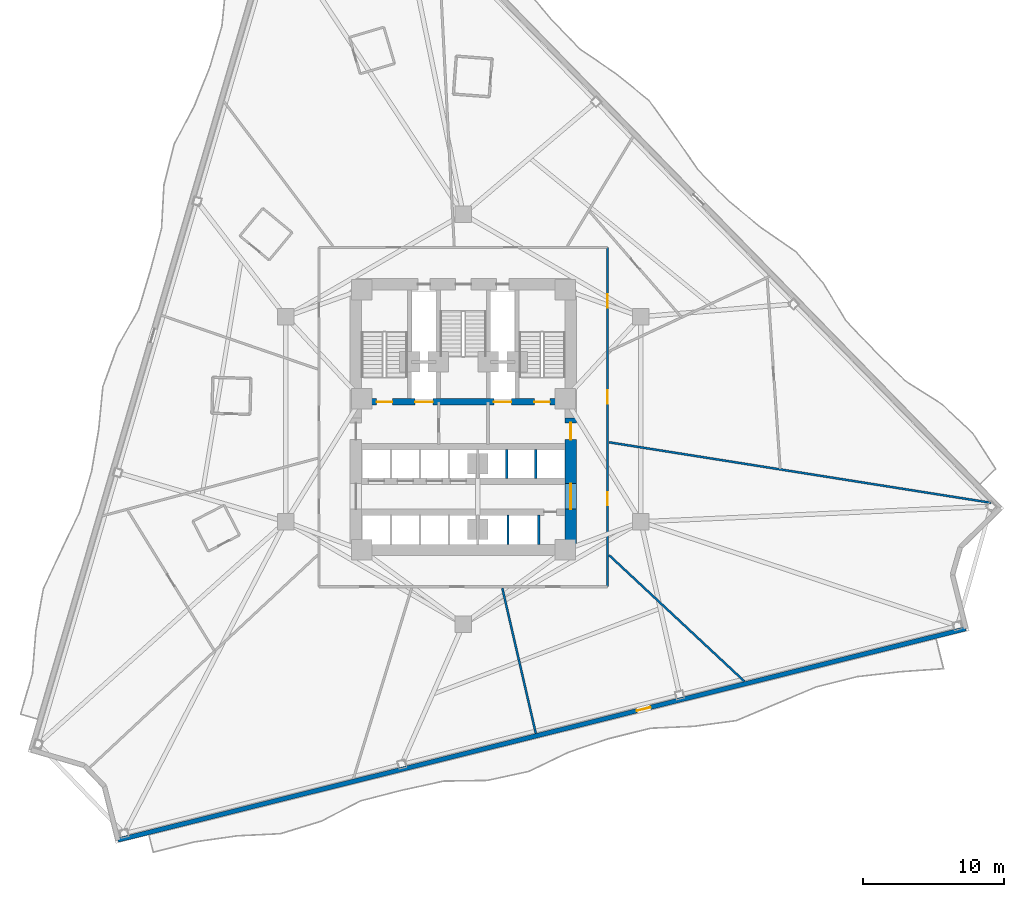
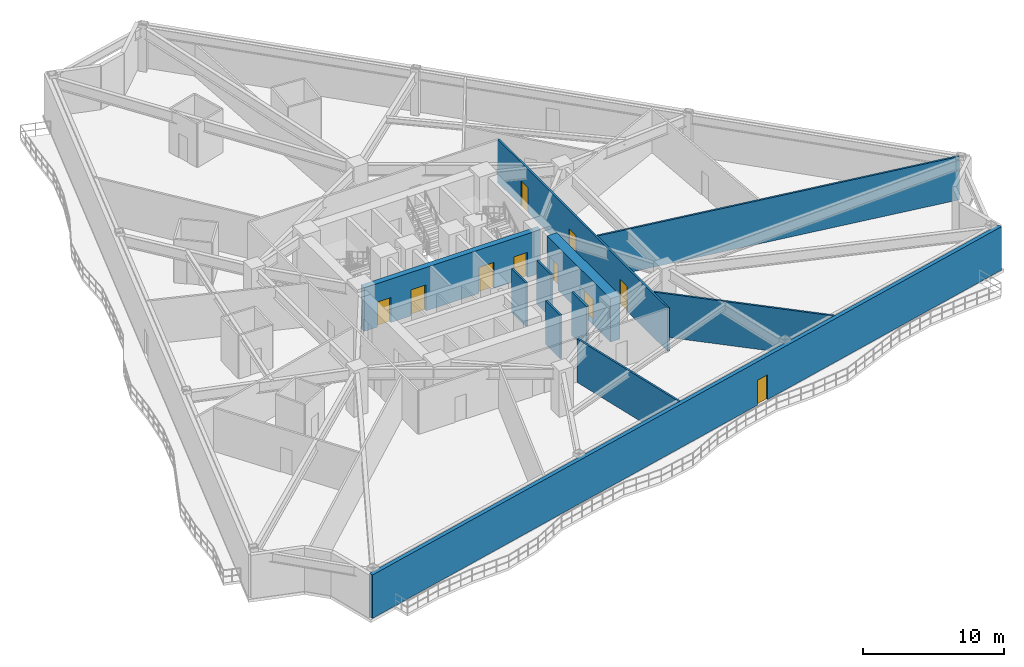
# One storey, part 4 of 10: 11 walls, 10 doors, 10 openings.
"""IFC4 building model written with IfcOpenShell, lengths in metres."""

from ifc_helpers import new_model, si_unit, direction, frame, frame_2d, origin, place, context, subcontext, project, spatial, rectangle, extrude, material, layer, layer_set, type_object, element, fill, save


model = new_model("IFC4")

# Units and contexts
model_context = context("Model", 3, precision=1e-05, world=origin(), true_north=direction((0.0, 1.0)))
body_context = subcontext(model_context, "Body", "Model", "MODEL_VIEW")
ifc_project = project(units=[si_unit("LENGTHUNIT", "METRE"), si_unit("AREAUNIT", "SQUARE_METRE"), si_unit("VOLUMEUNIT", "CUBIC_METRE"), si_unit("PLANEANGLEUNIT", "RADIAN"), si_unit("MASSUNIT", "GRAM", prefix="KILO")], contexts=[model_context])

# Site, building, storey
site_placement = place(None, origin())
site = spatial("IfcSite", under=ifc_project, at=site_placement, CompositionType="ELEMENT")
building_placement = place(site_placement, origin())
building = spatial("IfcBuilding", under=site, at=building_placement, Name="Apsidion Concourse Tower", CompositionType="ELEMENT")
storey_placement = place(building_placement, frame((0.0, 0.0, 115.0)))
storey = spatial("IfcBuildingStorey", under=building, at=storey_placement, Name="L26", CompositionType="ELEMENT", Elevation=115.0)

# Wall, opening, door
ifc_material_1 = material(Name="Precast concrete C40/50", Category="concrete")
ifc_layer_1 = layer(ifc_material_1, 0.320068359375)
ifc_layer_set_1 = layer_set([ifc_layer_1], Name="Precast concrete C40/50")
wall_type_1 = type_object("IfcWallType", Name="WL-EXT-320", PredefinedType="STANDARD", material=ifc_layer_set_1)
wall_1_placement = place(storey_placement, frame((35.546142578125, -14.818359375, 0.0), z_axis=(0.0, 0.0, 1.0), x_axis=(-0.970295883146, -0.241921266428, 0.0)))
wall_1 = element("IfcWall", 1, at=wall_1_placement, inside=storey, type_object=wall_type_1, Name="L26 Precast Stone Facade Wall 05", PredefinedType="STANDARD", context=body_context, shape_type="SweptSolid", body=[
    extrude(rectangle(XDim=61.810791015625, YDim=0.320068359375, at=frame_2d((30.9052734375, 0.0))), origin(), (0.0, 0.0, 1.0), 3.75),
])
opening_1_placement = place(wall_1_placement, frame((22.988037109375, 0.0, 0.0)))
opening_1 = element("IfcOpeningElement", 2, at=opening_1_placement, cuts=wall_1, Name="Opening D-T1R", PredefinedType="OPENING", context=body_context, shape_type="SweptSolid", body=[
    extrude(rectangle(XDim=1.0, YDim=2.14990234375, at=frame_2d((0.5, 1.074951171875))), frame((0.0, 0.169921875, 0.0), z_axis=(0.0, -1.0, 0.0), x_axis=(1.0, 0.0, 0.0)), (0.0, 0.0, 1.0), 0.340087890625),
])
ifc_material_2 = material(Name="Anodised aluminium EN AW-6063 T6", Category="aluminium")
door_type_1 = type_object("IfcDoorType", Name="DR-TER-1022R", OperationType="SINGLE_SWING_RIGHT", PredefinedType="DOOR", material=ifc_material_2)
door_1_placement = place(opening_1_placement, origin())
door_1 = element("IfcDoor", 3, at=door_1_placement, inside=storey, type_object=door_type_1, Name="L26 Balcony Access Door 2", OperationType="SINGLE_SWING_RIGHT", OverallHeight=2.14990234375, OverallWidth=1.0, PredefinedType="DOOR", context=body_context, shape_type="SweptSolid", body=[
    extrude(rectangle(XDim=1.0, YDim=2.14990234375, at=frame_2d((0.5, 1.074951171875))), frame((0.0, 0.02490234375, 0.0), z_axis=(0.0, -1.0, 0.0), x_axis=(1.0, 0.0, 0.0)), (0.0, 0.0, 1.0), 0.050048828125),
])
fill(opening_1, door_1)

# Walls
ifc_material_3 = material(Name="Gypsum plasterboard partition")
ifc_layer_2 = layer(ifc_material_3, 0.14990234375)
ifc_layer_set_2 = layer_set([ifc_layer_2], Name="Gypsum plasterboard partition")
wall_type_2 = type_object("IfcWallType", Name="WL-INT-PAR-150", PredefinedType="PARTITIONING", material=ifc_layer_set_2)
for number, where, z_axis, x_axis, name in (
    (4, (3.074951171875, -4.179931640625, 0.0), (0.0, 0.0, 1.0), (0.0, 1.0, 0.0), "L26 Interior Partition WL-L26-B3DIV-1"),
    (5, (5.125, -4.179931640625, 0.0), (0.0, 0.0, 1.0), (0.0, 1.0, 0.0), "L26 Interior Partition WL-L26-B3DIV-2"),
):
    element("IfcWall", number, at=place(storey_placement, frame(where, z_axis=z_axis, x_axis=x_axis)), inside=storey, type_object=wall_type_2, Name=name, PredefinedType="PARTITIONING", context=body_context, shape_type="SweptSolid", body=[
        extrude(rectangle(XDim=2.030029296875, YDim=0.14990234375, at=frame_2d((1.01513671875, 0.0))), origin(), (0.0, 0.0, 1.0), 3.75),
    ])
wall_2_placement = place(storey_placement, frame((3.175048828125, -8.85009765625, 0.0), z_axis=(0.0, 0.0, 1.0), x_axis=(0.0, 1.0, 0.0)))
element("IfcWall", 6, at=wall_2_placement, inside=storey, type_object=wall_type_2, Name="L26 Interior Partition WL-L26-SHDIV-1", PredefinedType="PARTITIONING", context=body_context, shape_type="SweptSolid", body=[
    extrude(rectangle(XDim=2.080078125, YDim=0.14990234375, at=frame_2d((1.0400390625, 0.0))), origin(), (0.0, 0.0, 1.0), 3.75),
])

# Wall, openings, doors
wall_3_placement = place(storey_placement, frame((10.199951171875, 12.14990234375, 0.0), z_axis=(0.0, 0.0, 1.0), x_axis=(0.0, -1.0, 0.0)))
wall_3 = element("IfcWall", 7, at=wall_3_placement, inside=storey, type_object=wall_type_2, Name="L26 Interior Partition WL-L26-CORR-02", PredefinedType="PARTITIONING", context=body_context, shape_type="SweptSolid", body=[
    extrude(rectangle(XDim=24.0, YDim=0.14990234375, at=frame_2d((12.0, 0.0))), origin(), (0.0, 0.0, 1.0), 3.75),
])
opening_2_placement = place(wall_3_placement, frame((17.29931640625, 0.0, 0.0)))
opening_2 = element("IfcOpeningElement", 8, at=opening_2_placement, cuts=wall_3, Name="Opening D-01L", PredefinedType="OPENING", context=body_context, shape_type="SweptSolid", body=[
    extrude(rectangle(XDim=0.949951171875, YDim=2.14990234375, at=frame_2d((0.47509765625, 1.074951171875))), frame((0.0, 0.0849609375, 0.0), z_axis=(0.0, -1.0, 0.0), x_axis=(1.0, 0.0, 0.0)), (0.0, 0.0, 1.0), 0.169921875),
])
opening_3_placement = place(wall_3_placement, frame((10.09228515625, 0.0, 0.0)))
opening_3 = element("IfcOpeningElement", 9, at=opening_3_placement, cuts=wall_3, Name="Opening D-01R", PredefinedType="OPENING", context=body_context, shape_type="SweptSolid", body=[
    extrude(rectangle(XDim=0.949951171875, YDim=2.14990234375, at=frame_2d((0.47509765625, 1.074951171875))), frame((0.0, 0.0849609375, 0.0), z_axis=(0.0, -1.0, 0.0), x_axis=(1.0, 0.0, 0.0)), (0.0, 0.0, 1.0), 0.169921875),
])
opening_4_placement = place(wall_3_placement, frame((3.32666015625, 0.0, 0.0)))
opening_4 = element("IfcOpeningElement", 10, at=opening_4_placement, cuts=wall_3, Name="Opening D-01L", PredefinedType="OPENING", context=body_context, shape_type="SweptSolid", body=[
    extrude(rectangle(XDim=0.949951171875, YDim=2.14990234375, at=frame_2d((0.47509765625, 1.074951171875))), frame((0.0, 0.0849609375, 0.0), z_axis=(0.0, -1.0, 0.0), x_axis=(1.0, 0.0, 0.0)), (0.0, 0.0, 1.0), 0.169921875),
])
ifc_material_4 = material(Name="Brushed stainless steel 316", Category="steel")
door_type_2 = type_object("IfcDoorType", Name="DR-INT-D01L", OperationType="SINGLE_SWING_LEFT", PredefinedType="DOOR", material=ifc_material_4)
door_2_placement = place(opening_2_placement, origin())
door_2 = element("IfcDoor", 11, at=door_2_placement, inside=storey, type_object=door_type_2, Name="L26 Corridor Entry Door 05", OperationType="SINGLE_SWING_LEFT", OverallHeight=2.14990234375, OverallWidth=0.949951171875, PredefinedType="DOOR", context=body_context, shape_type="SweptSolid", body=[
    extrude(rectangle(XDim=0.949951171875, YDim=2.14990234375, at=frame_2d((0.47509765625, 1.074951171875))), frame((0.0, 0.02490234375, 0.0), z_axis=(0.0, -1.0, 0.0), x_axis=(1.0, 0.0, 0.0)), (0.0, 0.0, 1.0), 0.050048828125),
])
fill(opening_2, door_2)
door_3_placement = place(opening_4_placement, origin())
door_3 = element("IfcDoor", 12, at=door_3_placement, inside=storey, type_object=door_type_2, Name="L26 Corridor Entry Door 07", OperationType="SINGLE_SWING_LEFT", OverallHeight=2.14990234375, OverallWidth=0.949951171875, PredefinedType="DOOR", context=body_context, shape_type="SweptSolid", body=[
    extrude(rectangle(XDim=0.949951171875, YDim=2.14990234375, at=frame_2d((0.47509765625, 1.074951171875))), frame((0.0, 0.02490234375, 0.0), z_axis=(0.0, -1.0, 0.0), x_axis=(1.0, 0.0, 0.0)), (0.0, 0.0, 1.0), 0.050048828125),
])
fill(opening_4, door_3)
door_type_3 = type_object("IfcDoorType", Name="DR-INT-D01R", OperationType="SINGLE_SWING_RIGHT", PredefinedType="DOOR", material=ifc_material_4)
door_4_placement = place(opening_3_placement, origin())
door_4 = element("IfcDoor", 13, at=door_4_placement, inside=storey, type_object=door_type_3, Name="L26 Corridor Entry Door 06", OperationType="SINGLE_SWING_RIGHT", OverallHeight=2.14990234375, OverallWidth=0.949951171875, PredefinedType="DOOR", context=body_context, shape_type="SweptSolid", body=[
    extrude(rectangle(XDim=0.949951171875, YDim=2.14990234375, at=frame_2d((0.47509765625, 1.074951171875))), frame((0.0, 0.02490234375, 0.0), z_axis=(0.0, -1.0, 0.0), x_axis=(1.0, 0.0, 0.0)), (0.0, 0.0, 1.0), 0.050048828125),
])
fill(opening_3, door_4)

# Walls
wall_4_placement = place(storey_placement, frame((2.760009765625, -11.955078125, 0.0), z_axis=(0.0, 0.0, 1.0), x_axis=(0.224945811952, -0.974371275072, 0.0)))
element("IfcWall", 14, at=wall_4_placement, inside=storey, type_object=wall_type_2, Name="L26 Interior Partition WL-L26-RAD-09-1", PredefinedType="PARTITIONING", context=body_context, shape_type="SweptSolid", body=[
    extrude(rectangle(XDim=10.536376953125, YDim=0.14990234375, at=frame_2d((5.26806640625, 0.0))), origin(), (0.0, 0.0, 1.0), 3.75),
])
wall_5_placement = place(storey_placement, frame((10.304931640625, -9.609619140625, 0.0), z_axis=(0.0, 0.0, 1.0), x_axis=(0.731362621349, -0.681988794698, 0.0)))
element("IfcWall", 15, at=wall_5_placement, inside=storey, type_object=wall_type_2, Name="L26 Interior Partition WL-L26-RAD-10-1", PredefinedType="PARTITIONING", context=body_context, shape_type="SweptSolid", body=[
    extrude(rectangle(XDim=13.0986328125, YDim=0.14990234375, at=frame_2d((6.54931640625, 0.0))), origin(), (0.0, 0.0, 1.0), 3.75),
])
wall_6_placement = place(storey_placement, frame((10.304931640625, -1.632080078125, 0.0), z_axis=(0.0, 0.0, 1.0), x_axis=(0.987688570565, -0.156433013064, 0.0)))
element("IfcWall", 16, at=wall_6_placement, inside=storey, type_object=wall_type_2, Name="L26 Interior Partition WL-L26-RAD-11-1", PredefinedType="PARTITIONING", context=body_context, shape_type="SweptSolid", body=[
    extrude(rectangle(XDim=27.367919921875, YDim=0.14990234375, at=frame_2d((13.68408203125, 0.0))), origin(), (0.0, 0.0, 1.0), 3.75),
])
ifc_layer_3 = layer(ifc_material_3, 0.179931640625)
ifc_layer_set_3 = layer_set([ifc_layer_3], Name="Gypsum plasterboard partition")
wall_type_3 = type_object("IfcWallType", Name="WL-INT-PAR-180", PredefinedType="PARTITIONING", material=ifc_layer_set_3)
wall_7_placement = place(storey_placement, frame((5.324951171875, -8.85009765625, 0.0), z_axis=(0.0, 0.0, 1.0), x_axis=(0.0, 1.0, 0.0)))
element("IfcWall", 17, at=wall_7_placement, inside=storey, type_object=wall_type_3, Name="L26 Interior Partition WL-L26-SHDIV-2", PredefinedType="PARTITIONING", context=body_context, shape_type="SweptSolid", body=[
    extrude(rectangle(XDim=2.080078125, YDim=0.179931640625, at=frame_2d((1.0400390625, 0.0))), origin(), (0.0, 0.0, 1.0), 3.75),
])

# Wall, openings, doors
ifc_material_5 = material(Name="Concrete C60/75", Category="concrete")
ifc_layer_4 = layer(ifc_material_5, 0.449951171875)
ifc_layer_set_4 = layer_set([ifc_layer_4], Name="Concrete C60/75")
wall_type_4 = type_object("IfcWallType", Name="WL-SH-450", PredefinedType="SHEAR", material=ifc_layer_set_4)
wall_8_placement = place(storey_placement, frame((-7.199951171875, 1.22509765625, 0.0), z_axis=(0.0, 0.0, 1.0), x_axis=(1.0, 0.0, 0.0)))
wall_8 = element("IfcWall", 18, at=wall_8_placement, inside=storey, type_object=wall_type_4, Name="L26 Central Core Shear Wall M1", PredefinedType="SHEAR", context=body_context, shape_type="SweptSolid", body=[
    extrude(rectangle(XDim=14.39990234375, YDim=0.449951171875, at=frame_2d((7.199951171875, 0.0))), origin(), (0.0, 0.0, 1.0), 3.75),
])
opening_5_placement = place(wall_8_placement, frame((3.794921875, 0.0, 0.0)))
opening_5 = element("IfcOpeningElement", 19, at=opening_5_placement, cuts=wall_8, Name="Opening LD-FF", PredefinedType="OPENING", context=body_context, shape_type="SweptSolid", body=[
    extrude(rectangle(XDim=1.25, YDim=2.25, at=frame_2d((0.625, 1.125))), frame((0.0, 0.23486328125, 0.0), z_axis=(0.0, -1.0, 0.0), x_axis=(1.0, 0.0, 0.0)), (0.0, 0.0, 1.0), 0.469970703125),
])
opening_6_placement = place(wall_8_placement, frame((9.35498046875, 0.0, 0.0)))
opening_6 = element("IfcOpeningElement", 20, at=opening_6_placement, cuts=wall_8, Name="Opening LD-FF", PredefinedType="OPENING", context=body_context, shape_type="SweptSolid", body=[
    extrude(rectangle(XDim=1.25, YDim=2.25, at=frame_2d((0.625, 1.125))), frame((0.0, 0.23486328125, 0.0), z_axis=(0.0, -1.0, 0.0), x_axis=(1.0, 0.0, 0.0)), (0.0, 0.0, 1.0), 0.469970703125),
])
opening_7_placement = place(wall_8_placement, frame((1.074951171875, 0.0, 0.0)))
opening_7 = element("IfcOpeningElement", 21, at=opening_7_placement, cuts=wall_8, Name="Opening D-STL", PredefinedType="OPENING", context=body_context, shape_type="SweptSolid", body=[
    extrude(rectangle(XDim=1.10009765625, YDim=2.14990234375, at=frame_2d((0.550048828125, 1.074951171875))), frame((0.0, 0.23486328125, 0.0), z_axis=(0.0, -1.0, 0.0), x_axis=(1.0, 0.0, 0.0)), (0.0, 0.0, 1.0), 0.469970703125),
])
opening_8_placement = place(wall_8_placement, frame((12.22509765625, 0.0, 0.0)))
opening_8 = element("IfcOpeningElement", 22, at=opening_8_placement, cuts=wall_8, Name="Opening D-STR", PredefinedType="OPENING", context=body_context, shape_type="SweptSolid", body=[
    extrude(rectangle(XDim=1.10009765625, YDim=2.14990234375, at=frame_2d((0.550048828125, 1.074951171875))), frame((0.0, 0.23486328125, 0.0), z_axis=(0.0, -1.0, 0.0), x_axis=(1.0, 0.0, 0.0)), (0.0, 0.0, 1.0), 0.469970703125),
])
door_type_4 = type_object("IfcDoorType", Name="DR-INT-ST1L", OperationType="SINGLE_SWING_LEFT", PredefinedType="DOOR", material=ifc_material_4)
door_5_placement = place(opening_7_placement, origin())
door_5 = element("IfcDoor", 23, at=door_5_placement, inside=storey, type_object=door_type_4, Name="L26 Core Exit Stair ST1 Door", OperationType="SINGLE_SWING_LEFT", OverallHeight=2.14990234375, OverallWidth=1.10009765625, PredefinedType="DOOR", context=body_context, shape_type="SweptSolid", body=[
    extrude(rectangle(XDim=1.10009765625, YDim=2.14990234375, at=frame_2d((0.550048828125, 1.074951171875))), frame((0.0, 0.02490234375, 0.0), z_axis=(0.0, -1.0, 0.0), x_axis=(1.0, 0.0, 0.0)), (0.0, 0.0, 1.0), 0.050048828125),
])
fill(opening_7, door_5)
door_type_5 = type_object("IfcDoorType", Name="DR-INT-ST1R", OperationType="SINGLE_SWING_RIGHT", PredefinedType="DOOR", material=ifc_material_4)
door_6_placement = place(opening_8_placement, origin())
door_6 = element("IfcDoor", 24, at=door_6_placement, inside=storey, type_object=door_type_5, Name="L26 Core Exit Stair ST2 Door", OperationType="SINGLE_SWING_RIGHT", OverallHeight=2.14990234375, OverallWidth=1.10009765625, PredefinedType="DOOR", context=body_context, shape_type="SweptSolid", body=[
    extrude(rectangle(XDim=1.10009765625, YDim=2.14990234375, at=frame_2d((0.550048828125, 1.074951171875))), frame((0.0, 0.02490234375, 0.0), z_axis=(0.0, -1.0, 0.0), x_axis=(1.0, 0.0, 0.0)), (0.0, 0.0, 1.0), 0.050048828125),
])
fill(opening_8, door_6)
door_type_6 = type_object("IfcDoorType", Name="DR-LD-FSAE", OperationType="DOUBLE_DOOR_SLIDING", PredefinedType="DOOR", material=ifc_material_4)
door_7_placement = place(opening_5_placement, origin())
door_7 = element("IfcDoor", 25, at=door_7_placement, inside=storey, type_object=door_type_6, Name="L26 Lift Landing Door FF1", OperationType="DOUBLE_DOOR_SLIDING", OverallHeight=2.25, OverallWidth=1.25, PredefinedType="DOOR", context=body_context, shape_type="SweptSolid", body=[
    extrude(rectangle(XDim=1.25, YDim=2.25, at=frame_2d((0.625, 1.125))), frame((0.0, 0.02490234375, 0.0), z_axis=(0.0, -1.0, 0.0), x_axis=(1.0, 0.0, 0.0)), (0.0, 0.0, 1.0), 0.050048828125),
])
fill(opening_5, door_7)
door_8_placement = place(opening_6_placement, origin())
door_8 = element("IfcDoor", 26, at=door_8_placement, inside=storey, type_object=door_type_6, Name="L26 Lift Landing Door FF2", OperationType="DOUBLE_DOOR_SLIDING", OverallHeight=2.25, OverallWidth=1.25, PredefinedType="DOOR", context=body_context, shape_type="SweptSolid", body=[
    extrude(rectangle(XDim=1.25, YDim=2.25, at=frame_2d((0.625, 1.125))), frame((0.0, 0.02490234375, 0.0), z_axis=(0.0, -1.0, 0.0), x_axis=(1.0, 0.0, 0.0)), (0.0, 0.0, 1.0), 0.050048828125),
])
fill(opening_6, door_8)

ifc_layer_5 = layer(ifc_material_5, 0.800048828125)
ifc_layer_set_5 = layer_set([ifc_layer_5], Name="Concrete C60/75")
wall_type_5 = type_object("IfcWallType", Name="WL-SH-800", PredefinedType="SHEAR", material=ifc_layer_set_5)
wall_9_placement = place(storey_placement, frame((7.60009765625, -8.85009765625, 0.0), z_axis=(0.0, 0.0, 1.0), x_axis=(0.0, 1.0, 0.0)))
wall_9 = element("IfcWall", 27, at=wall_9_placement, inside=storey, type_object=wall_type_5, Name="L26 Central Core Shear Wall ES", PredefinedType="SHEAR", context=body_context, shape_type="SweptSolid", body=[
    extrude(rectangle(XDim=8.9501953125, YDim=0.800048828125, at=frame_2d((4.47509765625, 0.0))), origin(), (0.0, 0.0, 1.0), 3.75),
])
opening_9_placement = place(wall_9_placement, frame((2.489990234375, 0.0, 0.0)))
opening_9 = element("IfcOpeningElement", 28, at=opening_9_placement, cuts=wall_9, Name="Opening D-06D", PredefinedType="OPENING", context=body_context, shape_type="SweptSolid", body=[
    extrude(rectangle(XDim=1.800048828125, YDim=2.199951171875, at=frame_2d((0.89990234375, 1.10009765625))), frame((0.0, 0.41015625, 0.0), z_axis=(0.0, -1.0, 0.0), x_axis=(1.0, 0.0, 0.0)), (0.0, 0.0, 1.0), 0.820068359375),
])
opening_10_placement = place(wall_9_placement, frame((7.39990234375, 0.0, 0.0)))
opening_10 = element("IfcOpeningElement", 29, at=opening_10_placement, cuts=wall_9, Name="Opening D-FFR", PredefinedType="OPENING", context=body_context, shape_type="SweptSolid", body=[
    extrude(rectangle(XDim=1.199951171875, YDim=2.14990234375, at=frame_2d((0.60009765625, 1.074951171875))), frame((0.0, 0.41015625, 0.0), z_axis=(0.0, -1.0, 0.0), x_axis=(1.0, 0.0, 0.0)), (0.0, 0.0, 1.0), 0.820068359375),
])
door_type_7 = type_object("IfcDoorType", Name="DR-INT-D06D", OperationType="DOUBLE_DOOR_SINGLE_SWING", PredefinedType="DOOR", material=ifc_material_4)
door_9_placement = place(opening_9_placement, origin())
door_9 = element("IfcDoor", 30, at=door_9_placement, inside=storey, type_object=door_type_7, Name="L26 Passenger Lift Lobby ES Portal Door", OperationType="DOUBLE_DOOR_SINGLE_SWING", OverallHeight=2.199951171875, OverallWidth=1.800048828125, PredefinedType="DOOR", context=body_context, shape_type="SweptSolid", body=[
    extrude(rectangle(XDim=1.800048828125, YDim=2.199951171875, at=frame_2d((0.89990234375, 1.10009765625))), frame((0.0, 0.02490234375, 0.0), z_axis=(0.0, -1.0, 0.0), x_axis=(1.0, 0.0, 0.0)), (0.0, 0.0, 1.0), 0.050048828125),
])
fill(opening_9, door_9)
door_type_8 = type_object("IfcDoorType", Name="DR-INT-FFR", OperationType="SINGLE_SWING_RIGHT", PredefinedType="DOOR", material=ifc_material_4)
door_10_placement = place(opening_10_placement, origin())
door_10 = element("IfcDoor", 31, at=door_10_placement, inside=storey, type_object=door_type_8, Name="L26 Firefighting Lift Lobby FF2 Door", OperationType="SINGLE_SWING_RIGHT", OverallHeight=2.14990234375, OverallWidth=1.199951171875, PredefinedType="DOOR", context=body_context, shape_type="SweptSolid", body=[
    extrude(rectangle(XDim=1.199951171875, YDim=2.14990234375, at=frame_2d((0.60009765625, 1.074951171875))), frame((0.0, 0.02490234375, 0.0), z_axis=(0.0, -1.0, 0.0), x_axis=(1.0, 0.0, 0.0)), (0.0, 0.0, 1.0), 0.050048828125),
])
fill(opening_10, door_10)

save(model, "model.ifc")
